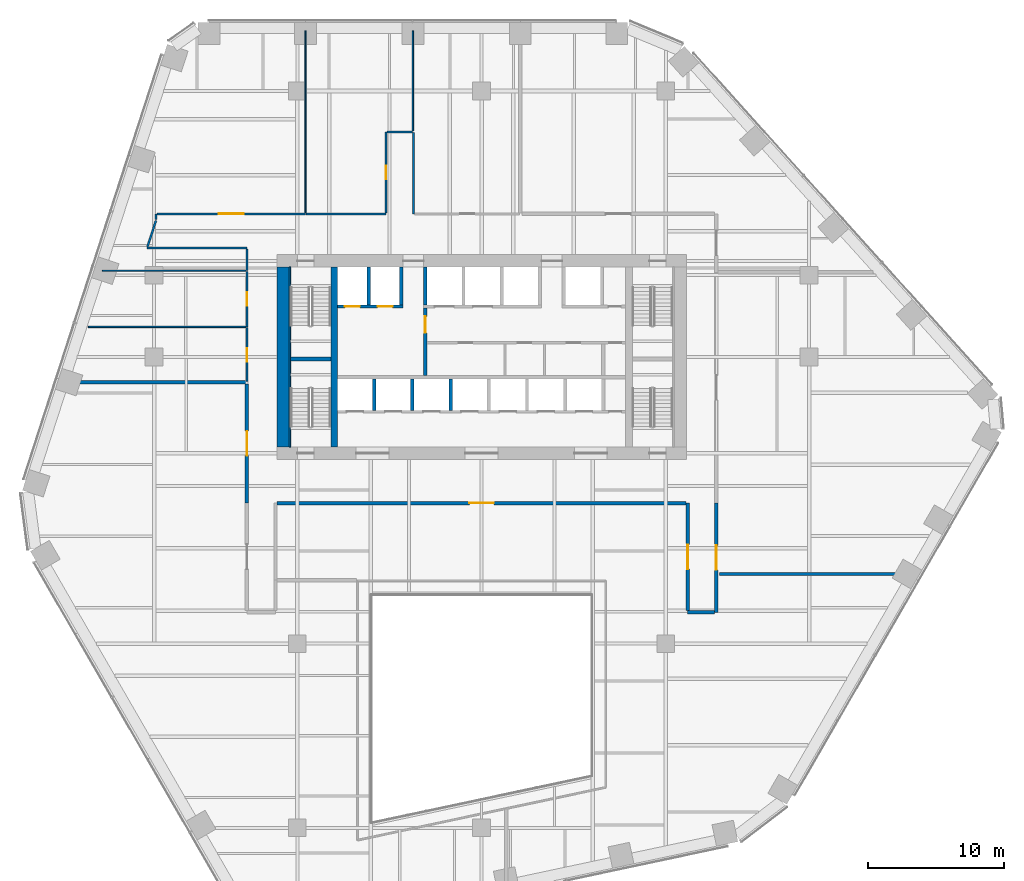
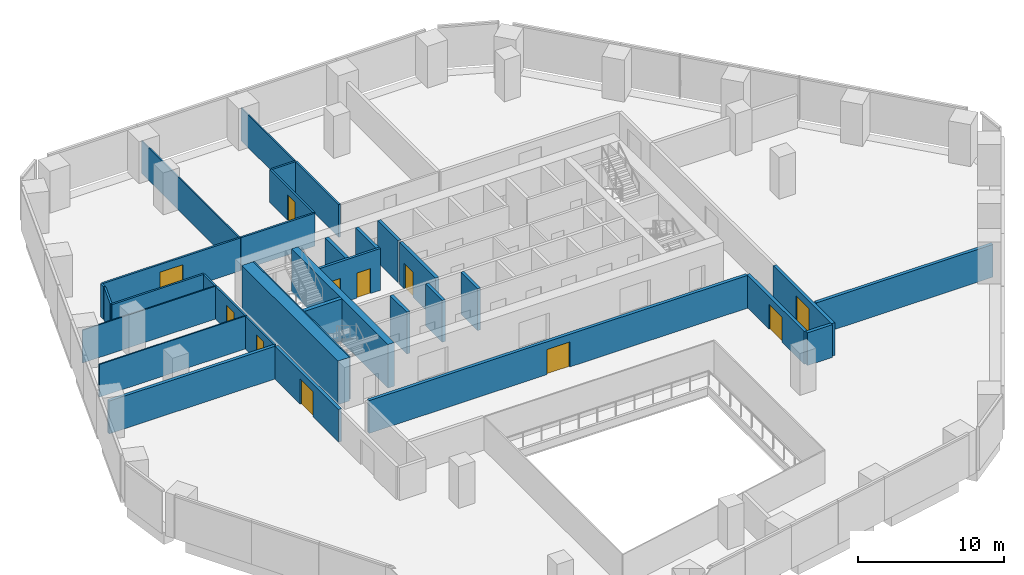
# One storey, part 14 of 19: 34 walls, 11 doors, 11 openings.
"""IFC4 building model written with IfcOpenShell, lengths in metres."""

from ifc_helpers import new_model, si_unit, direction, frame, frame_2d, origin, place, context, subcontext, project, spatial, rectangle, extrude, material, layer, layer_set, type_object, element, fill, save


model = new_model("IFC4")

# Units and contexts
model_context = context("Model", 3, precision=1e-05, world=origin(), true_north=direction((0.0, 1.0)))
body_context = subcontext(model_context, "Body", "Model", "MODEL_VIEW")
ifc_project = project(units=[si_unit("LENGTHUNIT", "METRE"), si_unit("AREAUNIT", "SQUARE_METRE"), si_unit("VOLUMEUNIT", "CUBIC_METRE"), si_unit("PLANEANGLEUNIT", "RADIAN"), si_unit("MASSUNIT", "GRAM", prefix="KILO")], contexts=[model_context])

# Site, building, storey
site_placement = place(None, origin())
site = spatial("IfcSite", under=ifc_project, at=site_placement, CompositionType="ELEMENT")
building_placement = place(site_placement, origin())
building = spatial("IfcBuilding", under=site, at=building_placement, Name="Isthmus Gate Tower", CompositionType="ELEMENT")
storey_placement = place(building_placement, frame((0.0, 0.0, 91.60009765625)))
storey = spatial("IfcBuildingStorey", under=building, at=storey_placement, Name="L21", CompositionType="ELEMENT", Elevation=91.60009765625)

# Wall, opening, door
ifc_material_1 = material(Name="Double-leaf acoustic stud wall, fire-rated", Category="gypsum")
ifc_layer_1 = layer(ifc_material_1, 0.25)
ifc_layer_set_1 = layer_set([ifc_layer_1], Name="ACOUSTIC WALL 250 60 MIN")
wall_type_1 = type_object("IfcWallType", Name="ACOUSTIC WALL 250 60 MIN", PredefinedType="PARTITIONING", material=ifc_layer_set_1)
wall_1_placement = place(storey_placement, frame((14.97509765625, -3.199951171875, 0.0), z_axis=(0.0, 0.0, 1.0), x_axis=(-1.0, 0.0, 0.0)))
wall_1 = element("IfcWall", 1, at=wall_1_placement, inside=storey, type_object=wall_type_1, Name="L21 Acoustic Wall 250 60 Min", PredefinedType="PARTITIONING", context=body_context, shape_type="SweptSolid", body=[
    extrude(rectangle(XDim=29.9501953125, YDim=0.25, at=frame_2d((14.97509765625, 0.0))), origin(), (0.0, 0.0, 1.0), 2.7412109375),
])
opening_1_placement = place(wall_1_placement, frame((14.074951171875, 0.0, 0.0)))
opening_1 = element("IfcOpeningElement", 2, at=opening_1_placement, cuts=wall_1, Name="Opening DT-T2B-12", PredefinedType="OPENING", context=body_context, shape_type="SweptSolid", body=[
    extrude(rectangle(XDim=1.800048828125, YDim=2.10009765625, at=frame_2d((0.89990234375, 1.050048828125))), frame((0.0, 0.135009765625, 0.0), z_axis=(0.0, -1.0, 0.0), x_axis=(1.0, 0.0, 0.0)), (0.0, 0.0, 1.0), 0.27001953125),
])
ifc_material_2 = material(Name="Solid core timber door leaf, fire-rated", Category="wood")
door_type_1 = type_object("IfcDoorType", Name="FIRE DOOR ACOUSTIC ROOM 1800 X 2100 60 MIN", OperationType="DOUBLE_DOOR_DOUBLE_SWING", PredefinedType="DOOR", material=ifc_material_2)
door_1_placement = place(opening_1_placement, origin())
door_1 = element("IfcDoor", 3, at=door_1_placement, inside=storey, type_object=door_type_1, Name="L21 room door", OperationType="DOUBLE_DOOR_DOUBLE_SWING", OverallHeight=2.10009765625, OverallWidth=1.800048828125, PredefinedType="DOOR", context=body_context, shape_type="SweptSolid", body=[
    extrude(rectangle(XDim=1.800048828125, YDim=2.10009765625, at=frame_2d((0.89990234375, 1.050048828125))), frame((0.0, 0.02490234375, 0.0), z_axis=(0.0, -1.0, 0.0), x_axis=(1.0, 0.0, 0.0)), (0.0, 0.0, 1.0), 0.050048828125),
])
fill(opening_1, door_1)

wall_2_placement = place(storey_placement, frame((17.197998046875, -3.18798828125, 0.0), z_axis=(0.0, 0.0, 1.0), x_axis=(0.0, -1.0, 0.0)))
wall_2 = element("IfcWall", 4, at=wall_2_placement, inside=storey, type_object=wall_type_1, Name="L21 Acoustic Wall 250 60 Min", PredefinedType="PARTITIONING", context=body_context, shape_type="SweptSolid", body=[
    extrude(rectangle(XDim=8.011962890625, YDim=0.25, at=frame_2d((4.005859375, 0.0))), origin(), (0.0, 0.0, 1.0), 2.7412109375),
])
opening_2_placement = place(wall_2_placement, frame((3.10595703125, 0.0, 0.0)))
opening_2 = element("IfcOpeningElement", 5, at=opening_2_placement, cuts=wall_2, Name="Opening DT-T2B-09", PredefinedType="OPENING", context=body_context, shape_type="SweptSolid", body=[
    extrude(rectangle(XDim=1.800048828125, YDim=2.10009765625, at=frame_2d((0.89990234375, 1.050048828125))), frame((0.0, 0.135009765625, 0.0), z_axis=(0.0, -1.0, 0.0), x_axis=(1.0, 0.0, 0.0)), (0.0, 0.0, 1.0), 0.27001953125),
])
door_2_placement = place(opening_2_placement, origin())
door_2 = element("IfcDoor", 6, at=door_2_placement, inside=storey, type_object=door_type_1, Name="L21 room door", OperationType="DOUBLE_DOOR_DOUBLE_SWING", OverallHeight=2.10009765625, OverallWidth=1.800048828125, PredefinedType="DOOR", context=body_context, shape_type="SweptSolid", body=[
    extrude(rectangle(XDim=1.800048828125, YDim=2.10009765625, at=frame_2d((0.89990234375, 1.050048828125))), frame((0.0, 0.02490234375, 0.0), z_axis=(0.0, -1.0, 0.0), x_axis=(1.0, 0.0, 0.0)), (0.0, 0.0, 1.0), 0.050048828125),
])
fill(opening_2, door_2)

# Walls
wall_3_placement = place(storey_placement, frame((17.072998046875, -11.199951171875, 0.0), z_axis=(0.0, 0.0, 1.0), x_axis=(-1.0, 0.0, 0.0)))
element("IfcWall", 7, at=wall_3_placement, inside=storey, type_object=wall_type_1, Name="L21 Acoustic Wall 250 60 Min", PredefinedType="PARTITIONING", context=body_context, shape_type="SweptSolid", body=[
    extrude(rectangle(XDim=1.972900390625, YDim=0.25, at=frame_2d((0.986328125, 0.0))), origin(), (0.0, 0.0, 1.0), 2.7412109375),
])
wall_4_placement = place(storey_placement, frame((-30.44091796875, 5.660888671875, 0.0), z_axis=(0.0, 0.0, 1.0), x_axis=(1.0, 0.0, 0.0)))
element("IfcWall", 8, at=wall_4_placement, inside=storey, type_object=wall_type_1, Name="L21 Acoustic Wall 250 60 Min", PredefinedType="PARTITIONING", context=body_context, shape_type="SweptSolid", body=[
    extrude(rectangle(XDim=13.166015625, YDim=0.25, at=frame_2d((6.5830078125, 0.0))), origin(), (0.0, 0.0, 1.0), 2.7412109375),
])
wall_5_placement = place(storey_placement, frame((17.425048828125, -8.39990234375, 0.0), z_axis=(0.0, 0.0, 1.0), x_axis=(1.0, 0.0, 0.0)))
element("IfcWall", 9, at=wall_5_placement, inside=storey, type_object=wall_type_1, Name="L21 Acoustic Wall 250 60 Min", PredefinedType="PARTITIONING", context=body_context, shape_type="SweptSolid", body=[
    extrude(rectangle(XDim=13.98291015625, YDim=0.25, at=frame_2d((6.991455078125, 0.0))), origin(), (0.0, 0.0, 1.0), 2.7412109375),
])

# Wall, opening, door
wall_6_placement = place(storey_placement, frame((-17.199951171875, -3.18798828125, 0.0), z_axis=(0.0, 0.0, 1.0), x_axis=(0.0, 1.0, 0.0)))
wall_6 = element("IfcWall", 10, at=wall_6_placement, inside=storey, type_object=wall_type_1, Name="L21 Acoustic Wall 250 60 Min", PredefinedType="PARTITIONING", context=body_context, shape_type="SweptSolid", body=[
    extrude(rectangle(XDim=8.723876953125, YDim=0.25, at=frame_2d((4.36181640625, 0.0))), origin(), (0.0, 0.0, 1.0), 2.7412109375),
])
opening_3_placement = place(wall_6_placement, frame((3.4619140625, 0.0, 0.0)))
opening_3 = element("IfcOpeningElement", 11, at=opening_3_placement, cuts=wall_6, Name="Opening DT-T2B-10", PredefinedType="OPENING", context=body_context, shape_type="SweptSolid", body=[
    extrude(rectangle(XDim=1.800048828125, YDim=2.10009765625, at=frame_2d((0.89990234375, 1.050048828125))), frame((0.0, 0.135009765625, 0.0), z_axis=(0.0, -1.0, 0.0), x_axis=(1.0, 0.0, 0.0)), (0.0, 0.0, 1.0), 0.27001953125),
])
door_3_placement = place(opening_3_placement, origin())
door_3 = element("IfcDoor", 12, at=door_3_placement, inside=storey, type_object=door_type_1, Name="L21 room door", OperationType="DOUBLE_DOOR_DOUBLE_SWING", OverallHeight=2.10009765625, OverallWidth=1.800048828125, PredefinedType="DOOR", context=body_context, shape_type="SweptSolid", body=[
    extrude(rectangle(XDim=1.800048828125, YDim=2.10009765625, at=frame_2d((0.89990234375, 1.050048828125))), frame((0.0, 0.02490234375, 0.0), z_axis=(0.0, -1.0, 0.0), x_axis=(1.0, 0.0, 0.0)), (0.0, 0.0, 1.0), 0.050048828125),
])
fill(opening_3, door_3)

wall_7_placement = place(storey_placement, frame((15.10009765625, -11.074951171875, 0.0), z_axis=(0.0, 0.0, 1.0), x_axis=(0.0, 1.0, 0.0)))
wall_7 = element("IfcWall", 13, at=wall_7_placement, inside=storey, type_object=wall_type_1, Name="L21 Acoustic Wall 250 60 Min", PredefinedType="PARTITIONING", context=body_context, shape_type="SweptSolid", body=[
    extrude(rectangle(XDim=7.875, YDim=0.25, at=frame_2d((3.9375, 0.0))), origin(), (0.0, 0.0, 1.0), 2.7412109375),
])
opening_4_placement = place(wall_7_placement, frame((3.03759765625, 0.0, 0.0)))
opening_4 = element("IfcOpeningElement", 14, at=opening_4_placement, cuts=wall_7, Name="Opening DT-T2B-13", PredefinedType="OPENING", context=body_context, shape_type="SweptSolid", body=[
    extrude(rectangle(XDim=1.800048828125, YDim=2.10009765625, at=frame_2d((0.89990234375, 1.050048828125))), frame((0.0, 0.135009765625, 0.0), z_axis=(0.0, -1.0, 0.0), x_axis=(1.0, 0.0, 0.0)), (0.0, 0.0, 1.0), 0.27001953125),
])
door_4_placement = place(opening_4_placement, origin())
door_4 = element("IfcDoor", 15, at=door_4_placement, inside=storey, type_object=door_type_1, Name="L21 room door", OperationType="DOUBLE_DOOR_DOUBLE_SWING", OverallHeight=2.10009765625, OverallWidth=1.800048828125, PredefinedType="DOOR", context=body_context, shape_type="SweptSolid", body=[
    extrude(rectangle(XDim=1.800048828125, YDim=2.10009765625, at=frame_2d((0.89990234375, 1.050048828125))), frame((0.0, 0.02490234375, 0.0), z_axis=(0.0, -1.0, 0.0), x_axis=(1.0, 0.0, 0.0)), (0.0, 0.0, 1.0), 0.050048828125),
])
fill(opening_4, door_4)

# Walls
ifc_material_3 = material(Name="Gypsum board on steel studs, fire-rated", Category="steel")
ifc_layer_2 = layer(ifc_material_3, 0.14990234375)
ifc_layer_set_2 = layer_set([ifc_layer_2], Name="CORRIDOR WALL 150 60 MIN")
wall_type_2 = type_object("IfcWallType", Name="CORRIDOR WALL 150 60 MIN", PredefinedType="PARTITIONING", material=ifc_layer_set_2)
wall_8_placement = place(storey_placement, frame((-17.199951171875, 15.5, 0.0), z_axis=(0.0, 0.0, 1.0), x_axis=(-1.0, 0.0, 0.0)))
element("IfcWall", 16, at=wall_8_placement, inside=storey, type_object=wall_type_2, Name="L21 Corridor Wall 150 60 Min", PredefinedType="PARTITIONING", context=body_context, shape_type="SweptSolid", body=[
    extrude(rectangle(XDim=7.31103515625, YDim=0.14990234375, at=frame_2d((3.655517578125, 0.0))), origin(), (0.0, 0.0, 1.0), 2.7412109375),
])
wall_9_placement = place(storey_placement, frame((-5.0, 23.9619140625, 0.0), z_axis=(0.0, 0.0, 1.0), x_axis=(0.0, -1.0, 0.0)))
element("IfcWall", 17, at=wall_9_placement, inside=storey, type_object=wall_type_2, Name="L21 Corridor Wall 150 60 Min", PredefinedType="PARTITIONING", context=body_context, shape_type="SweptSolid", body=[
    extrude(rectangle(XDim=5.9619140625, YDim=0.14990234375, at=frame_2d((2.98095703125, 0.0))), origin(), (0.0, 0.0, 1.0), 2.7412109375),
])
wall_10_placement = place(storey_placement, frame((-24.48779296875, 15.5712890625, 0.0), z_axis=(0.0, 0.0, 1.0), x_axis=(0.309031629186, 0.951051761032, 0.0)))
element("IfcWall", 18, at=wall_10_placement, inside=storey, type_object=wall_type_2, Name="L21 Corridor Wall 150 60 Min", PredefinedType="PARTITIONING", context=body_context, shape_type="SweptSolid", body=[
    extrude(rectangle(XDim=2.028076171875, YDim=0.14990234375, at=frame_2d((1.01416015625, 0.0))), origin(), (0.0, 0.0, 1.0), 2.7412109375),
])
wall_11_placement = place(storey_placement, frame((-23.86279296875, 17.572998046875, 0.0), z_axis=(0.0, 0.0, 1.0), x_axis=(0.004002254967, 0.999991990946, 0.0)))
element("IfcWall", 19, at=wall_11_placement, inside=storey, type_object=wall_type_2, Name="L21 Corridor Wall 150 60 Min", PredefinedType="PARTITIONING", context=body_context, shape_type="SweptSolid", body=[
    extrude(rectangle(XDim=0.427001953125, YDim=0.14990234375, at=frame_2d((0.21337890625, 0.0))), origin(), (0.0, 0.0, 1.0), 2.7412109375),
])

# Wall, opening, door
wall_12_placement = place(storey_placement, frame((-23.785888671875, 18.0, 0.0), z_axis=(0.0, 0.0, 1.0), x_axis=(1.0, 0.0, 0.0)))
wall_12 = element("IfcWall", 20, at=wall_12_placement, inside=storey, type_object=wall_type_2, Name="L21 Corridor Wall 150 60 Min", PredefinedType="PARTITIONING", context=body_context, shape_type="SweptSolid", body=[
    extrude(rectangle(XDim=10.87890625, YDim=0.14990234375, at=frame_2d((5.439453125, 0.0))), origin(), (0.0, 0.0, 1.0), 2.7412109375),
])
opening_5_placement = place(wall_12_placement, frame((4.53955078125, 0.0, 0.0)))
opening_5 = element("IfcOpeningElement", 21, at=opening_5_placement, cuts=wall_12, Name="Opening DT-T2B-01", PredefinedType="OPENING", context=body_context, shape_type="SweptSolid", body=[
    extrude(rectangle(XDim=1.800048828125, YDim=2.10009765625, at=frame_2d((0.89990234375, 1.050048828125))), frame((0.0, 0.0849609375, 0.0), z_axis=(0.0, -1.0, 0.0), x_axis=(1.0, 0.0, 0.0)), (0.0, 0.0, 1.0), 0.169921875),
])
ifc_material_4 = material(Name="Solid core timber door leaf, fire-rated", Category="wood")
door_type_2 = type_object("IfcDoorType", Name="FIRE DOOR ROOM 1800 X 2100 60 MIN", OperationType="DOUBLE_DOOR_DOUBLE_SWING", PredefinedType="DOOR", material=ifc_material_4)
door_5_placement = place(opening_5_placement, origin())
door_5 = element("IfcDoor", 22, at=door_5_placement, inside=storey, type_object=door_type_2, Name="L21 room door", OperationType="DOUBLE_DOOR_DOUBLE_SWING", OverallHeight=2.10009765625, OverallWidth=1.800048828125, PredefinedType="DOOR", context=body_context, shape_type="SweptSolid", body=[
    extrude(rectangle(XDim=1.800048828125, YDim=2.10009765625, at=frame_2d((0.89990234375, 1.050048828125))), frame((0.0, 0.02490234375, 0.0), z_axis=(0.0, -1.0, 0.0), x_axis=(1.0, 0.0, 0.0)), (0.0, 0.0, 1.0), 0.050048828125),
])
fill(opening_5, door_5)

# Walls
wall_13_placement = place(storey_placement, frame((-17.199951171875, 13.830078125, 0.0), z_axis=(0.0, 0.0, 1.0), x_axis=(0.0, 1.0, 0.0)))
element("IfcWall", 23, at=wall_13_placement, inside=storey, type_object=wall_type_2, Name="L21 Corridor Wall 150 60 Min", PredefinedType="PARTITIONING", context=body_context, shape_type="SweptSolid", body=[
    extrude(rectangle(XDim=1.594970703125, YDim=0.14990234375, at=frame_2d((0.79736328125, 0.0))), origin(), (0.0, 0.0, 1.0), 2.7412109375),
])
wall_14_placement = place(storey_placement, frame((-12.85693359375, 18.0, 0.0), z_axis=(0.0, 0.0, 1.0), x_axis=(1.0, 0.0, 0.0)))
element("IfcWall", 24, at=wall_14_placement, inside=storey, type_object=wall_type_2, Name="L21 Corridor Wall 150 60 Min", PredefinedType="PARTITIONING", context=body_context, shape_type="SweptSolid", body=[
    extrude(rectangle(XDim=5.85693359375, YDim=0.14990234375, at=frame_2d((2.928466796875, 0.0))), origin(), (0.0, 0.0, 1.0), 2.7412109375),
])

# Wall, opening, door
wall_15_placement = place(storey_placement, frame((-7.0, 18.074951171875, 0.0), z_axis=(0.0, 0.0, 1.0), x_axis=(0.0, 1.0, 0.0)))
wall_15 = element("IfcWall", 25, at=wall_15_placement, inside=storey, type_object=wall_type_2, Name="L21 Corridor Wall 150 60 Min", PredefinedType="PARTITIONING", context=body_context, shape_type="SweptSolid", body=[
    extrude(rectangle(XDim=5.925048828125, YDim=0.14990234375, at=frame_2d((2.96240234375, 0.0))), origin(), (0.0, 0.0, 1.0), 2.7412109375),
])
opening_6_placement = place(wall_15_placement, frame((2.46240234375, 0.0, 0.0)))
opening_6 = element("IfcOpeningElement", 26, at=opening_6_placement, cuts=wall_15, Name="Opening DT-T2B-02", PredefinedType="OPENING", context=body_context, shape_type="SweptSolid", body=[
    extrude(rectangle(XDim=1.0, YDim=2.10009765625, at=frame_2d((0.5, 1.050048828125))), frame((0.0, 0.0849609375, 0.0), z_axis=(0.0, -1.0, 0.0), x_axis=(1.0, 0.0, 0.0)), (0.0, 0.0, 1.0), 0.169921875),
])
ifc_material_5 = material(Name="Solid core timber door leaf, fire-rated", Category="wood")
door_type_3 = type_object("IfcDoorType", Name="FIRE DOOR ROOM 1000 X 2100 60 MIN", OperationType="SINGLE_SWING_LEFT", PredefinedType="DOOR", material=ifc_material_5)
door_6_placement = place(opening_6_placement, origin())
door_6 = element("IfcDoor", 27, at=door_6_placement, inside=storey, type_object=door_type_3, Name="L21 room door", OperationType="SINGLE_SWING_RIGHT", OverallHeight=2.10009765625, OverallWidth=1.0, PredefinedType="DOOR", context=body_context, shape_type="SweptSolid", body=[
    extrude(rectangle(XDim=1.0, YDim=2.10009765625, at=frame_2d((0.5, 1.050048828125))), frame((0.0, 0.02490234375, 0.0), z_axis=(0.0, -1.0, 0.0), x_axis=(1.0, 0.0, 0.0)), (0.0, 0.0, 1.0), 0.050048828125),
])
fill(opening_6, door_6)

# Wall
wall_16_placement = place(storey_placement, frame((-6.925048828125, 24.0, 0.0), z_axis=(0.0, 0.0, 1.0), x_axis=(1.0, 0.0, 0.0)))
element("IfcWall", 28, at=wall_16_placement, inside=storey, type_object=wall_type_2, Name="L21 Corridor Wall 150 60 Min", PredefinedType="PARTITIONING", context=body_context, shape_type="SweptSolid", body=[
    extrude(rectangle(XDim=1.865966796875, YDim=0.14990234375, at=frame_2d((0.93310546875, 0.0))), origin(), (0.0, 0.0, 1.0), 2.7412109375),
])

# Wall, opening, door
wall_17_placement = place(storey_placement, frame((-17.199951171875, 9.714111328125, 0.0), z_axis=(0.0, 0.0, 1.0), x_axis=(0.0, 1.0, 0.0)))
wall_17 = element("IfcWall", 29, at=wall_17_placement, inside=storey, type_object=wall_type_2, Name="L21 Corridor Wall 150 60 Min", PredefinedType="PARTITIONING", context=body_context, shape_type="SweptSolid", body=[
    extrude(rectangle(XDim=4.06591796875, YDim=0.14990234375, at=frame_2d((2.032958984375, 0.0))), origin(), (0.0, 0.0, 1.0), 2.7412109375),
])
opening_7_placement = place(wall_17_placement, frame((1.532958984375, 0.0, 0.0)))
opening_7 = element("IfcOpeningElement", 30, at=opening_7_placement, cuts=wall_17, Name="Opening DT-T2B-06", PredefinedType="OPENING", context=body_context, shape_type="SweptSolid", body=[
    extrude(rectangle(XDim=1.0, YDim=2.10009765625, at=frame_2d((0.5, 1.050048828125))), frame((0.0, 0.0849609375, 0.0), z_axis=(0.0, -1.0, 0.0), x_axis=(1.0, 0.0, 0.0)), (0.0, 0.0, 1.0), 0.169921875),
])
door_7_placement = place(opening_7_placement, origin())
door_7 = element("IfcDoor", 31, at=door_7_placement, inside=storey, type_object=door_type_3, Name="L21 room door", OperationType="SINGLE_SWING_RIGHT", OverallHeight=2.10009765625, OverallWidth=1.0, PredefinedType="DOOR", context=body_context, shape_type="SweptSolid", body=[
    extrude(rectangle(XDim=1.0, YDim=2.10009765625, at=frame_2d((0.5, 1.050048828125))), frame((0.0, 0.02490234375, 0.0), z_axis=(0.0, -1.0, 0.0), x_axis=(1.0, 0.0, 0.0)), (0.0, 0.0, 1.0), 0.050048828125),
])
fill(opening_7, door_7)

wall_18_placement = place(storey_placement, frame((-17.199951171875, 5.7109375, 0.0), z_axis=(0.0, 0.0, 1.0), x_axis=(0.0, 1.0, 0.0)))
wall_18 = element("IfcWall", 32, at=wall_18_placement, inside=storey, type_object=wall_type_2, Name="L21 Corridor Wall 150 60 Min", PredefinedType="PARTITIONING", context=body_context, shape_type="SweptSolid", body=[
    extrude(rectangle(XDim=3.953125, YDim=0.14990234375, at=frame_2d((1.9765625, 0.0))), origin(), (0.0, 0.0, 1.0), 2.7412109375),
])
opening_8_placement = place(wall_18_placement, frame((1.451416015625, 0.0, 0.0)))
opening_8 = element("IfcOpeningElement", 33, at=opening_8_placement, cuts=wall_18, Name="Opening DT-T2B-07", PredefinedType="OPENING", context=body_context, shape_type="SweptSolid", body=[
    extrude(rectangle(XDim=1.0, YDim=2.10009765625, at=frame_2d((0.5, 1.050048828125))), frame((0.0, 0.0849609375, 0.0), z_axis=(0.0, -1.0, 0.0), x_axis=(1.0, 0.0, 0.0)), (0.0, 0.0, 1.0), 0.169921875),
])
door_8_placement = place(opening_8_placement, origin())
door_8 = element("IfcDoor", 34, at=door_8_placement, inside=storey, type_object=door_type_3, Name="L21 room door", OperationType="SINGLE_SWING_RIGHT", OverallHeight=2.10009765625, OverallWidth=1.0, PredefinedType="DOOR", context=body_context, shape_type="SweptSolid", body=[
    extrude(rectangle(XDim=1.0, YDim=2.10009765625, at=frame_2d((0.5, 1.050048828125))), frame((0.0, 0.02490234375, 0.0), z_axis=(0.0, -1.0, 0.0), x_axis=(1.0, 0.0, 0.0)), (0.0, 0.0, 1.0), 0.050048828125),
])
fill(opening_8, door_8)

ifc_material_6 = material(Name="Fire-rated blockwork masonry, 15 MPa", Category="masonry")
ifc_layer_3 = layer(ifc_material_6, 0.25)
ifc_layer_set_3 = layer_set([ifc_layer_3], Name="FIRE-FIGHTING LOBBY WALL 250 90 MIN")
wall_type_3 = type_object("IfcWallType", Name="FIRE-FIGHTING LOBBY WALL 250 90 MIN", PredefinedType="PARTITIONING", material=ifc_layer_set_3)
wall_19_placement = place(storey_placement, frame((-4.125, 6.14990234375, 0.0), z_axis=(0.0, 0.0, 1.0), x_axis=(0.0, 1.0, 0.0)))
wall_19 = element("IfcWall", 35, at=wall_19_placement, inside=storey, type_object=wall_type_3, Name="L21 FIRE-FIGHTING LOBBY WALL 250 90 MIN", PredefinedType="PARTITIONING", context=body_context, shape_type="SweptSolid", body=[
    extrude(rectangle(XDim=4.9501953125, YDim=0.25, at=frame_2d((2.47509765625, 0.0))), origin(), (0.0, 0.0, 1.0), 3.5),
])
opening_9_placement = place(wall_19_placement, frame((3.125, 0.0, 0.0)))
opening_9 = element("IfcOpeningElement", 36, at=opening_9_placement, cuts=wall_19, Name="Opening DC-A02-01", PredefinedType="OPENING", context=body_context, shape_type="SweptSolid", body=[
    extrude(rectangle(XDim=1.199951171875, YDim=2.10009765625, at=frame_2d((0.60009765625, 1.050048828125))), frame((0.0, 0.135009765625, 0.0), z_axis=(0.0, -1.0, 0.0), x_axis=(1.0, 0.0, 0.0)), (0.0, 0.0, 1.0), 0.27001953125),
])
ifc_material_7 = material(Name="Steel door leaf, fire-rated", Category="steel")
door_type_4 = type_object("IfcDoorType", Name="LOBBY FIRE DOOR 1200 X 2100 90 MIN", OperationType="DOUBLE_DOOR_SINGLE_SWING", PredefinedType="DOOR", material=ifc_material_7)
door_9_placement = place(opening_9_placement, origin())
door_9 = element("IfcDoor", 37, at=door_9_placement, inside=storey, type_object=door_type_4, Name="Fire-fighting Lobby Door", OperationType="SINGLE_SWING_LEFT", OverallHeight=2.10009765625, OverallWidth=1.199951171875, PredefinedType="DOOR", context=body_context, shape_type="SweptSolid", body=[
    extrude(rectangle(XDim=1.199951171875, YDim=2.10009765625, at=frame_2d((0.60009765625, 1.050048828125))), frame((0.0, 0.02490234375, 0.0), z_axis=(0.0, -1.0, 0.0), x_axis=(1.0, 0.0, 0.0)), (0.0, 0.0, 1.0), 0.050048828125),
])
fill(opening_9, door_9)

# Walls
ifc_material_8 = material(Name="Concrete f'c 70 MPa", Category="concrete")
ifc_layer_4 = layer(ifc_material_8, 0.5)
ifc_layer_set_4 = layer_set([ifc_layer_4], Name="RC CORE SPINE WALL 500 F'C 70")
wall_type_4 = type_object("IfcWallType", Name="RC CORE SPINE WALL 500 F'C 70", PredefinedType="SOLIDWALL", material=ifc_layer_set_4)
wall_20_placement = place(storey_placement, frame((-10.800048828125, 0.89990234375, -0.150146484375), z_axis=(0.0, 0.0, 1.0), x_axis=(0.0, 1.0, 0.0)))
element("IfcWall", 38, at=wall_20_placement, inside=storey, type_object=wall_type_4, Name="str-corewall-L21-SPW", PredefinedType="SOLIDWALL", context=body_context, shape_type="SweptSolid", body=[
    extrude(rectangle(XDim=13.2001953125, YDim=0.5, at=frame_2d((6.60009765625, 0.0))), origin(), (0.0, 0.0, 1.0), 3.650146484375),
])
ifc_material_9 = material(Name="Concrete f'c 70 MPa", Category="concrete")
ifc_layer_5 = layer(ifc_material_9, 0.89990234375)
ifc_layer_set_5 = layer_set([ifc_layer_5], Name="RC CORE WALL 900 F'C 70")
wall_type_5 = type_object("IfcWallType", Name="RC CORE WALL 900 F'C 70", PredefinedType="SOLIDWALL", material=ifc_layer_set_5)
wall_21_placement = place(storey_placement, frame((-14.550048828125, 0.89990234375, -0.150146484375), z_axis=(0.0, 0.0, 1.0), x_axis=(0.0, 1.0, 0.0)))
element("IfcWall", 39, at=wall_21_placement, inside=storey, type_object=wall_type_5, Name="str-corewall-L21-W", PredefinedType="SOLIDWALL", context=body_context, shape_type="SweptSolid", body=[
    extrude(rectangle(XDim=13.2001953125, YDim=0.89990234375, at=frame_2d((6.60009765625, 0.0))), origin(), (0.0, 0.0, 1.0), 3.650146484375),
])
ifc_material_10 = material(Name="Gypsum board on steel studs, fire-rated", Category="steel")
ifc_layer_6 = layer(ifc_material_10, 0.10009765625)
ifc_layer_set_6 = layer_set([ifc_layer_6], Name="ROOM PARTITION 100 30 MIN")
wall_type_6 = type_object("IfcWallType", Name="ROOM PARTITION 100 30 MIN", PredefinedType="PARTITIONING", material=ifc_layer_set_6)
wall_22_placement = place(storey_placement, frame((-12.906982421875, 18.074951171875, 0.0), z_axis=(0.0, 0.0, 1.0), x_axis=(0.0, 1.0, 0.0)))
element("IfcWall", 40, at=wall_22_placement, inside=storey, type_object=wall_type_6, Name="L21 Room Partition 100 30 Min", PredefinedType="PARTITIONING", context=body_context, shape_type="SweptSolid", body=[
    extrude(rectangle(XDim=13.324951171875, YDim=0.10009765625, at=frame_2d((6.66259765625, 0.0))), origin(), (0.0, 0.0, 1.0), 2.7412109375),
])
wall_23_placement = place(storey_placement, frame((-27.787109375, 13.830078125, 0.0), z_axis=(0.0, 0.0, 1.0), x_axis=(1.0, 0.0, 0.0)))
element("IfcWall", 41, at=wall_23_placement, inside=storey, type_object=wall_type_6, Name="L21 Room Partition 100 30 Min", PredefinedType="PARTITIONING", context=body_context, shape_type="SweptSolid", body=[
    extrude(rectangle(XDim=10.51220703125, YDim=0.10009765625, at=frame_2d((5.256103515625, 0.0))), origin(), (0.0, 0.0, 1.0), 2.7412109375),
])
wall_24_placement = place(storey_placement, frame((-5.037109375, 24.074951171875, 0.0), z_axis=(0.0, 0.0, 1.0), x_axis=(0.0, 1.0, 0.0)))
element("IfcWall", 42, at=wall_24_placement, inside=storey, type_object=wall_type_6, Name="L21 Room Partition 100 30 Min", PredefinedType="PARTITIONING", context=body_context, shape_type="SweptSolid", body=[
    extrude(rectangle(XDim=7.324951171875, YDim=0.10009765625, at=frame_2d((3.66259765625, 0.0))), origin(), (0.0, 0.0, 1.0), 2.7412109375),
])
wall_25_placement = place(storey_placement, frame((-28.823974609375, 9.714111328125, 0.0), z_axis=(0.0, 0.0, 1.0), x_axis=(1.0, 0.0, 0.0)))
element("IfcWall", 43, at=wall_25_placement, inside=storey, type_object=wall_type_6, Name="L21 Room Partition 100 30 Min", PredefinedType="PARTITIONING", context=body_context, shape_type="SweptSolid", body=[
    extrude(rectangle(XDim=11.549072265625, YDim=0.10009765625, at=frame_2d((5.7744140625, 0.0))), origin(), (0.0, 0.0, 1.0), 2.7412109375),
])

# Wall, openings, doors
ifc_material_11 = material(Name="Fire-rated blockwork masonry, 15 MPa", Category="masonry")
ifc_layer_7 = layer(ifc_material_11, 0.199951171875)
ifc_layer_set_7 = layer_set([ifc_layer_7], Name="SHAFT FRONT WALL 200 120 MIN")
wall_type_7 = type_object("IfcWallType", Name="SHAFT FRONT WALL 200 120 MIN", PredefinedType="PARTITIONING", material=ifc_layer_set_7)
wall_26_placement = place(storey_placement, frame((-10.550048828125, 11.199951171875, 0.0), z_axis=(0.0, 0.0, 1.0), x_axis=(1.0, 0.0, 0.0)))
wall_26 = element("IfcWall", 44, at=wall_26_placement, inside=storey, type_object=wall_type_7, Name="L21 SHAFT FRONT WALL 200 120 MIN", PredefinedType="PARTITIONING", context=body_context, shape_type="SweptSolid", body=[
    extrude(rectangle(XDim=4.800048828125, YDim=0.199951171875, at=frame_2d((2.39990234375, 0.0))), origin(), (0.0, 0.0, 1.0), 3.5),
])
opening_10_placement = place(wall_26_placement, frame((0.52490234375, 0.0, 0.0)))
opening_10 = element("IfcOpeningElement", 45, at=opening_10_placement, cuts=wall_26, Name="Opening LD-LF1", PredefinedType="OPENING", context=body_context, shape_type="SweptSolid", body=[
    extrude(rectangle(XDim=1.10009765625, YDim=2.10009765625, at=frame_2d((0.550048828125, 1.050048828125))), frame((0.0, 0.10986328125, 0.0), z_axis=(0.0, -1.0, 0.0), x_axis=(1.0, 0.0, 0.0)), (0.0, 0.0, 1.0), 0.219970703125),
])
opening_11_placement = place(wall_26_placement, frame((2.925048828125, 0.0, 0.0)))
opening_11 = element("IfcOpeningElement", 46, at=opening_11_placement, cuts=wall_26, Name="Opening LD-LF2", PredefinedType="OPENING", context=body_context, shape_type="SweptSolid", body=[
    extrude(rectangle(XDim=1.10009765625, YDim=2.10009765625, at=frame_2d((0.550048828125, 1.050048828125))), frame((0.0, 0.10986328125, 0.0), z_axis=(0.0, -1.0, 0.0), x_axis=(1.0, 0.0, 0.0)), (0.0, 0.0, 1.0), 0.219970703125),
])
ifc_material_12 = material(Name="Stainless steel sliding leaf", Category="steel")
door_type_5 = type_object("IfcDoorType", Name="LIFT LANDING FIRE DOOR 1100 X 2100 90 MIN", OperationType="DOUBLE_DOOR_SLIDING", PredefinedType="DOOR", material=ifc_material_12)
door_10_placement = place(opening_10_placement, origin())
door_10 = element("IfcDoor", 47, at=door_10_placement, inside=storey, type_object=door_type_5, Name="Lift Landing Door LF1", OperationType="DOUBLE_DOOR_SLIDING", OverallHeight=2.10009765625, OverallWidth=1.10009765625, PredefinedType="DOOR", context=body_context, shape_type="SweptSolid", body=[
    extrude(rectangle(XDim=1.10009765625, YDim=2.10009765625, at=frame_2d((0.550048828125, 1.050048828125))), frame((0.0, 0.02490234375, 0.0), z_axis=(0.0, -1.0, 0.0), x_axis=(1.0, 0.0, 0.0)), (0.0, 0.0, 1.0), 0.050048828125),
])
fill(opening_10, door_10)
door_11_placement = place(opening_11_placement, origin())
door_11 = element("IfcDoor", 48, at=door_11_placement, inside=storey, type_object=door_type_5, Name="Lift Landing Door LF2", OperationType="DOUBLE_DOOR_SLIDING", OverallHeight=2.10009765625, OverallWidth=1.10009765625, PredefinedType="DOOR", context=body_context, shape_type="SweptSolid", body=[
    extrude(rectangle(XDim=1.10009765625, YDim=2.10009765625, at=frame_2d((0.550048828125, 1.050048828125))), frame((0.0, 0.02490234375, 0.0), z_axis=(0.0, -1.0, 0.0), x_axis=(1.0, 0.0, 0.0)), (0.0, 0.0, 1.0), 0.050048828125),
])
fill(opening_11, door_11)

# Walls
ifc_material_13 = material(Name="Fire-rated blockwork masonry, 15 MPa", Category="masonry")
ifc_layer_8 = layer(ifc_material_13, 0.25)
ifc_layer_set_8 = layer_set([ifc_layer_8], Name="SHAFT WALL 250 120 MIN")
wall_type_8 = type_object("IfcWallType", Name="SHAFT WALL 250 120 MIN", PredefinedType="PARTITIONING", material=ifc_layer_set_8)
for number, where, z_axis, x_axis, name in (
    (49, (-7.875, 3.60009765625, 0.0), (0.0, 0.0, 1.0), (0.0, 1.0, 0.0), "L21 SHAFT WALL 250 120 MIN"),
    (50, (-5.074951171875, 3.60009765625, 0.0), (0.0, 0.0, 1.0), (0.0, 1.0, 0.0), "L21 SHAFT WALL 250 120 MIN"),
    (51, (-2.27490234375, 3.60009765625, 0.0), (0.0, 0.0, 1.0), (0.0, 1.0, 0.0), "L21 SHAFT WALL 250 120 MIN"),
):
    element("IfcWall", number, at=place(storey_placement, frame(where, z_axis=z_axis, x_axis=x_axis)), inside=storey, type_object=wall_type_8, Name=name, PredefinedType="PARTITIONING", context=body_context, shape_type="SweptSolid", body=[
        extrude(rectangle(XDim=2.2998046875, YDim=0.25, at=frame_2d((1.14990234375, 0.0))), origin(), (0.0, 0.0, 1.0), 3.5),
    ])
for number, where, z_axis, x_axis, name in (
    (52, (-8.27490234375, 11.300048828125, 0.0), (0.0, 0.0, 1.0), (0.0, 1.0, 0.0), "L21 SHAFT WALL 250 120 MIN"),
    (53, (-5.875, 11.300048828125, 0.0), (0.0, 0.0, 1.0), (0.0, 1.0, 0.0), "L21 SHAFT WALL 250 120 MIN"),
    (54, (-4.125, 11.300048828125, 0.0), (0.0, 0.0, 1.0), (0.0, 1.0, 0.0), "L21 SHAFT WALL 250 120 MIN"),
):
    element("IfcWall", number, at=place(storey_placement, frame(where, z_axis=z_axis, x_axis=x_axis)), inside=storey, type_object=wall_type_8, Name=name, PredefinedType="PARTITIONING", context=body_context, shape_type="SweptSolid", body=[
        extrude(rectangle(XDim=2.800048828125, YDim=0.25, at=frame_2d((1.39990234375, 0.0))), origin(), (0.0, 0.0, 1.0), 3.5),
    ])
ifc_material_14 = material(Name="Concrete f'c 40 MPa", Category="concrete")
ifc_layer_9 = layer(ifc_material_14, 0.10009765625)
ifc_layer_set_9 = layer_set([ifc_layer_9], Name="STAIR ENCLOSURE WALL 100 180 MIN")
wall_type_9 = type_object("IfcWallType", Name="STAIR ENCLOSURE WALL 100 180 MIN", PredefinedType="SOLIDWALL", material=ifc_layer_set_9)
wall_27_placement = place(storey_placement, frame((-14.050048828125, 0.89990234375, 0.0), z_axis=(0.0, 0.0, 1.0), x_axis=(0.0, 1.0, 0.0)))
element("IfcWall", 55, at=wall_27_placement, inside=storey, type_object=wall_type_9, Name="L21 STAIR ENCLOSURE WALL 100 180 MIN", PredefinedType="SOLIDWALL", context=body_context, shape_type="SweptSolid", body=[
    extrude(rectangle(XDim=13.2001953125, YDim=0.10009765625, at=frame_2d((6.60009765625, 0.0))), origin(), (0.0, 0.0, 1.0), 3.5),
])
ifc_material_15 = material(Name="Concrete f'c 40 MPa", Category="concrete")
ifc_layer_10 = layer(ifc_material_15, 0.300048828125)
ifc_layer_set_10 = layer_set([ifc_layer_10], Name="STAIR ENCLOSURE WALL 300 180 MIN")
wall_type_10 = type_object("IfcWallType", Name="STAIR ENCLOSURE WALL 300 180 MIN", PredefinedType="SOLIDWALL", material=ifc_layer_set_10)
wall_28_placement = place(storey_placement, frame((-14.0, 7.35009765625, 0.0), z_axis=(0.0, 0.0, 1.0), x_axis=(1.0, 0.0, 0.0)))
element("IfcWall", 56, at=wall_28_placement, inside=storey, type_object=wall_type_10, Name="L21 STAIR ENCLOSURE WALL 300 180 MIN", PredefinedType="SOLIDWALL", context=body_context, shape_type="SweptSolid", body=[
    extrude(rectangle(XDim=2.949951171875, YDim=0.300048828125, at=frame_2d((1.47509765625, 0.0))), origin(), (0.0, 0.0, 1.0), 3.5),
])

save(model, "model.ifc")
